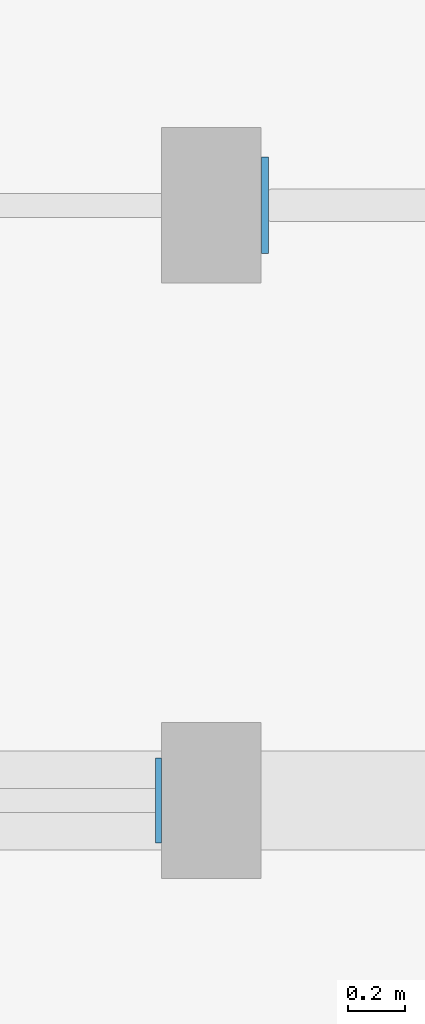
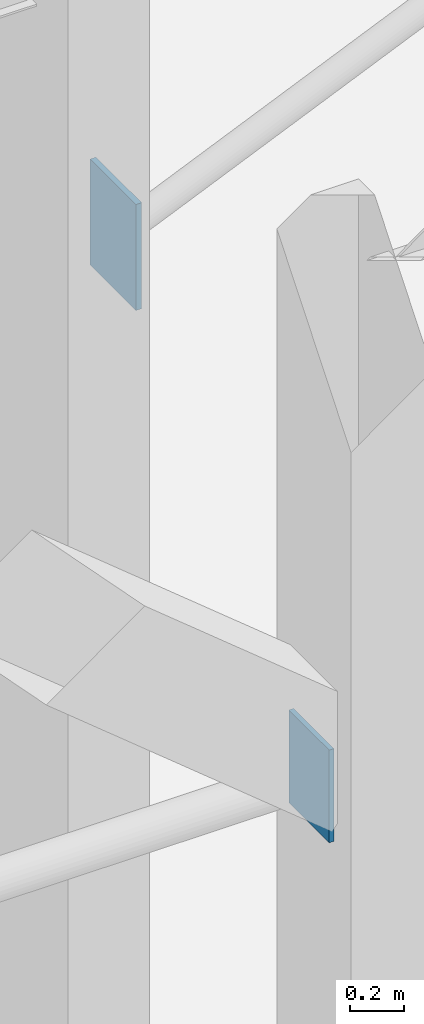
# One storey, part 79 of 135: 2 plates.
"""IFC4 building model written with IfcOpenShell, lengths in metres."""

from ifc_helpers import new_model, si_unit, direction, frame, origin, origin_2d, place, context, subcontext, project, spatial, rectangle, extrude, material, layer, layer_set, type_object, element, save


model = new_model("IFC4")

# Units and contexts
model_context = context("Model", 3, precision=1e-05, world=origin(), true_north=direction((0.0, 1.0)))
body_context = subcontext(model_context, "Body", "Model", "MODEL_VIEW")
ifc_project = project(units=[si_unit("LENGTHUNIT", "METRE"), si_unit("AREAUNIT", "SQUARE_METRE"), si_unit("VOLUMEUNIT", "CUBIC_METRE"), si_unit("PLANEANGLEUNIT", "RADIAN"), si_unit("MASSUNIT", "GRAM", prefix="KILO")], contexts=[model_context])

# Site, building, storey
site_placement = place(None, origin())
site = spatial("IfcSite", under=ifc_project, at=site_placement, CompositionType="ELEMENT")
building_placement = place(site_placement, origin())
building = spatial("IfcBuilding", under=site, at=building_placement, Name="Kiranvali Square Residences", CompositionType="ELEMENT")
storey_placement = place(building_placement, origin())
storey = spatial("IfcBuildingStorey", under=building, at=storey_placement, Name="L00", CompositionType="ELEMENT", Elevation=0.0)

# Plates
ifc_material = material(Name="Structural steel E350", Category="steel")
ifc_layer_1 = layer(ifc_material, 0.02001953125)
ifc_layer_set_1 = layer_set([ifc_layer_1], Name="Structural steel E350")
plate_type_1 = type_object("IfcPlateType", Name="PLT-ENDCAP-20", PredefinedType="SHEET", material=ifc_layer_set_1)
plate_1_placement = place(storey_placement, frame((127.013916015625, 12.949951171875, 2.93994140625), z_axis=(0.0, 0.0, 1.0), x_axis=(1.0, 0.0, 0.0)))
element("IfcPlate", 1, at=plate_1_placement, inside=storey, type_object=plate_type_1, Name="Colonnade tie-rod end plate ARC-SQ-S-7B", PredefinedType="SHEET", context=body_context, shape_type="SweptSolid", body=[
    extrude(rectangle(XDim=0.02001953125, YDim=0.300048828125, at=origin_2d()), origin(), (0.0, 0.0, 1.0), 0.419921875),
])
ifc_layer_2 = layer(ifc_material, 0.02490234375)
ifc_layer_set_2 = layer_set([ifc_layer_2], Name="Structural steel E350")
plate_type_2 = type_object("IfcPlateType", Name="PLT-GUSSET-25", PredefinedType="USERDEFINED", material=ifc_layer_set_2)
plate_2_placement = place(storey_placement, frame((127.388916015625, 15.050048828125, 3.9599609375), z_axis=(0.0, 0.0, 1.0), x_axis=(1.0, 0.0, 0.0)))
element("IfcPlate", 2, at=plate_2_placement, inside=storey, type_object=plate_type_2, Name="Colonnade knee-brace lower gusset ARC-SQ-S-8A", ObjectType="GUSSET PLATE", PredefinedType="USERDEFINED", context=body_context, shape_type="SweptSolid", body=[
    extrude(rectangle(XDim=0.02490234375, YDim=0.340087890625, at=origin_2d()), origin(), (0.0, 0.0, 1.0), 0.47998046875),
])

save(model, "model.ifc")
